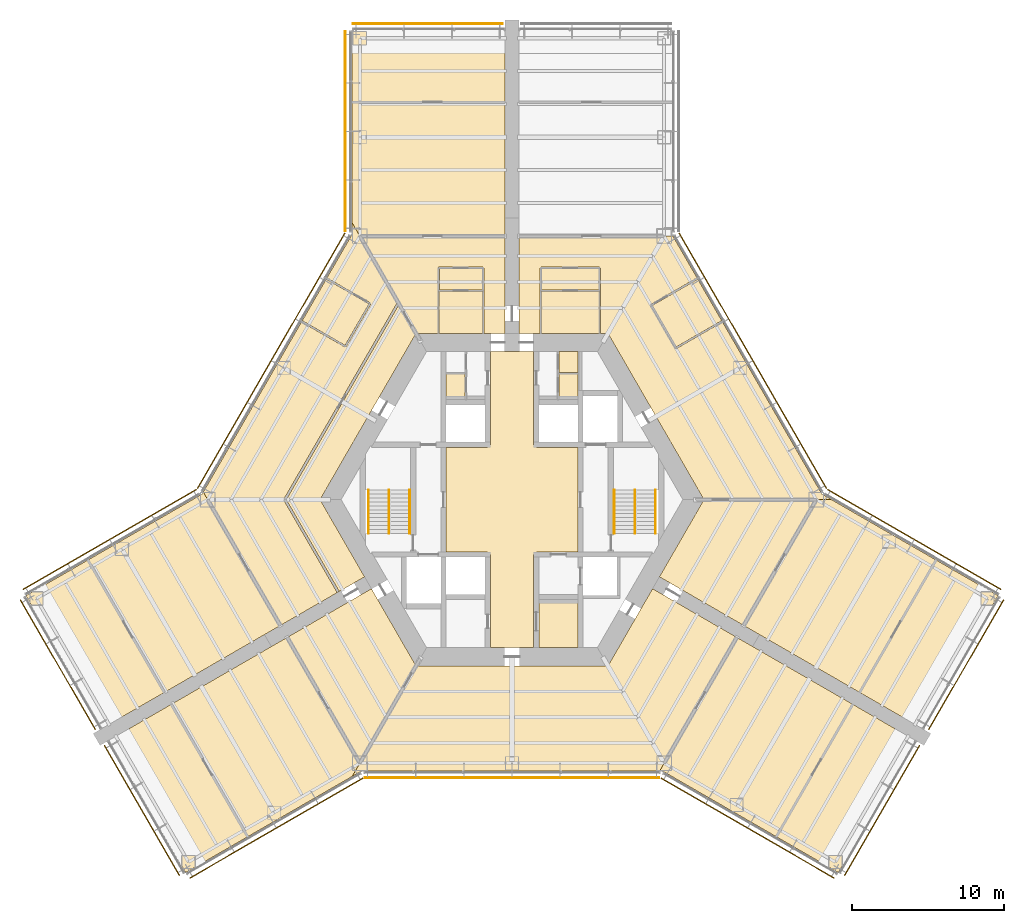
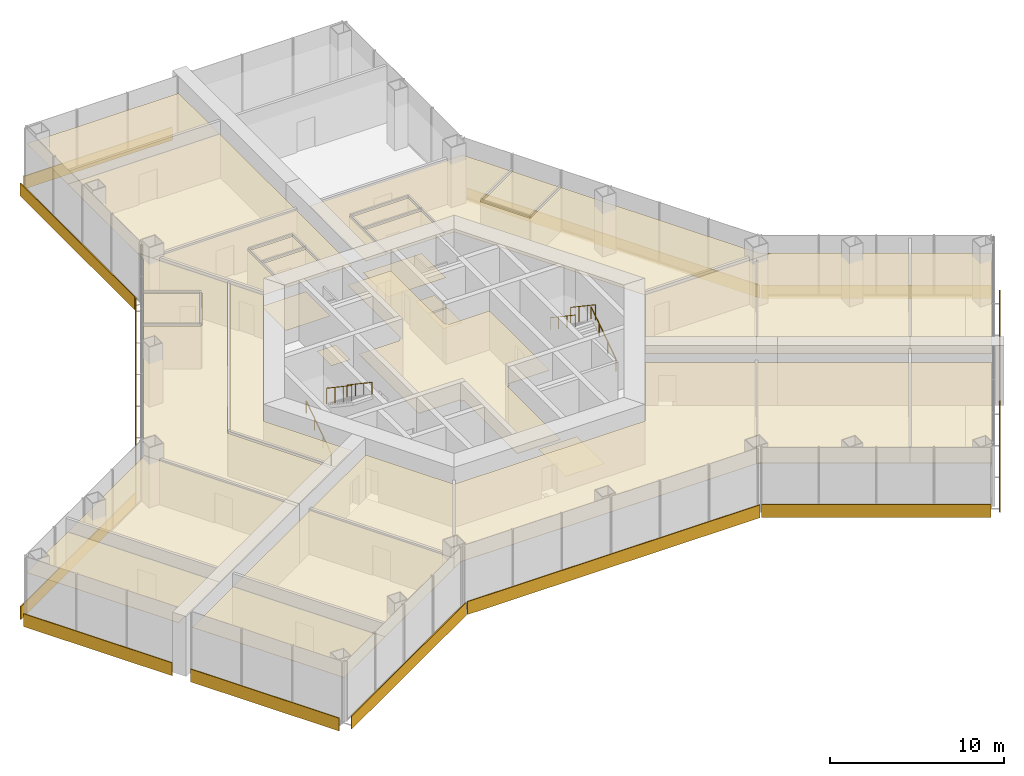
# One storey, part 15 of 16: 30 coverings, 13 shading devices, 6 railings.
"""IFC4 building model written with IfcOpenShell, lengths in metres."""

import ifcopenshell
import ifcopenshell.guid

model = None  # the IFC model being written
_history = None  # IfcOwnerHistory: only IFC2X3 demands one
_inside = {}  # id of a spatial element -> (the spatial element, [elements in it])
_under = {}  # id of a project, library or spatial element -> (it, [spatial elements below it])
_declared = {}  # id of a project -> (the project, [libraries it declares])
_typed = {}  # id of a type object -> (the type object, [elements of that type])
_made_of = {}  # id of a material, layer set ... -> (it, [elements and type objects made of it])


def new_model(schema):
    """Start an empty IFC model of exactly this schema.

    Asked for "IFC4X3", IfcOpenShell would pick the latest addendum, in which some entities
    have other attributes; the version numbers below select the first issue.
    IFC2X3 requires an IfcOwnerHistory on every rooted entity: one is made here for all.
    """
    global model, _history
    if schema == "IFC4X3":
        model = ifcopenshell.file(schema_version=(4, 3, 0, 0))
    else:
        model = ifcopenshell.file(schema=schema)
    _inside.clear()
    _under.clear()
    _declared.clear()
    _typed.clear()
    _made_of.clear()
    _history = None
    if model.schema == "IFC2X3":
        org = make("IfcOrganization", Name="unknown")
        user = make(
            "IfcPersonAndOrganization",
            ThePerson=make("IfcPerson", FamilyName="unknown"),
            TheOrganization=org,
        )
        app = make(
            "IfcApplication",
            ApplicationDeveloper=org,
            Version="unknown",
            ApplicationFullName="unknown",
            ApplicationIdentifier="unknown",
        )
        _history = make(
            "IfcOwnerHistory",
            OwningUser=user,
            OwningApplication=app,
            ChangeAction="ADDED",
            CreationDate=0,
        )
    return model


def make(cls, **values):
    """One entity of the class cls with the attributes given. An attribute that is None is left unset."""
    return model.create_entity(
        cls, **{name: value for name, value in values.items() if value is not None}
    )


def rooted(cls, **values):
    """An entity with a GlobalId (a new one), such as an element, a storey or a relation."""
    return make(cls, GlobalId=ifcopenshell.guid.new(), OwnerHistory=_history, **values)


def si_unit(unit_type, name, prefix=None):
    """IfcSIUnit, for example si_unit("LENGTHUNIT", "METRE", prefix="MILLI")."""
    return make("IfcSIUnit", UnitType=unit_type, Prefix=prefix, Name=name)


def assignment(units):
    """IfcUnitAssignment: the units of a project."""
    return None if units is None else make("IfcUnitAssignment", Units=units)


def point(xyz):
    """IfcCartesianPoint."""
    return None if xyz is None else make("IfcCartesianPoint", Coordinates=xyz)


def direction(xyz):
    """IfcDirection."""
    return None if xyz is None else make("IfcDirection", DirectionRatios=xyz)


def frame(location, z_axis=None, x_axis=None):
    """IfcAxis2Placement3D, a coordinate frame: its origin and axes. An axis left out is left unset."""
    return make(
        "IfcAxis2Placement3D",
        Location=point(location),
        Axis=direction(z_axis),
        RefDirection=direction(x_axis),
    )


def frame_2d(location, x_axis=None):
    """IfcAxis2Placement2D, a coordinate frame in the plane: its origin and x axis."""
    return make(
        "IfcAxis2Placement2D", Location=point(location), RefDirection=direction(x_axis)
    )


def origin():
    """The frame at (0, 0, 0) with its axes left unset."""
    return frame((0.0, 0.0, 0.0))


def origin_2d():
    """The frame at (0, 0) in the plane with its x axis left unset."""
    return frame_2d((0.0, 0.0))


def place(relative_to, where):
    """IfcLocalPlacement: puts the frame where relative to a parent placement (None: the world)."""
    return make(
        "IfcLocalPlacement", PlacementRelTo=relative_to, RelativePlacement=where
    )


def context(
    kind, dimensions, precision=None, world=None, true_north=None, identifier=None
):
    """IfcGeometricRepresentationContext, for example the 3D "Model" context."""
    return make(
        "IfcGeometricRepresentationContext",
        ContextIdentifier=identifier,
        ContextType=kind,
        CoordinateSpaceDimension=dimensions,
        Precision=precision,
        WorldCoordinateSystem=world,
        TrueNorth=true_north,
    )


def subcontext(parent, identifier, kind, view, scale=None):
    """IfcGeometricRepresentationSubContext, for example "Body" below "Model"."""
    return make(
        "IfcGeometricRepresentationSubContext",
        ContextIdentifier=identifier,
        ContextType=kind,
        ParentContext=parent,
        TargetScale=scale,
        TargetView=view,
    )


def project(units=None, contexts=None):
    """IfcProject with its units and contexts."""
    return rooted(
        "IfcProject",
        Name="project",
        RepresentationContexts=contexts,
        UnitsInContext=assignment(units),
    )


def spatial(cls, under=None, at=None, **own):
    """A site, building, storey or space (cls), placed at a placement, below another one or the project."""
    s = rooted(cls, ObjectPlacement=at, **own)
    if under is not None:
        _under.setdefault(under.id(), (under, []))[1].append(s)
    return s


def polyline(points):
    """IfcPolyline through the points."""
    return make("IfcPolyline", Points=[point(p) for p in points])


def profile(cls, at=None, kind="AREA", **sizes):
    """A parametric profile (cls). Its sizes go by their IFC names, for example OverallWidth=200.0."""
    return make(cls, ProfileType=kind, Position=at, **sizes)


def rectangle(**sizes):
    """IfcRectangleProfileDef."""
    return profile("IfcRectangleProfileDef", **sizes)


def circle(**sizes):
    """IfcCircleProfileDef."""
    return profile("IfcCircleProfileDef", **sizes)


def outline(outer, holes=None, kind="AREA"):
    """IfcArbitraryClosedProfileDef: a profile drawn as a closed curve; with holes, ...WithVoids."""
    if holes is None:
        return make("IfcArbitraryClosedProfileDef", ProfileType=kind, OuterCurve=outer)
    return make(
        "IfcArbitraryProfileDefWithVoids",
        ProfileType=kind,
        OuterCurve=outer,
        InnerCurves=holes,
    )


def extrude(swept, where, along, depth):
    """IfcExtrudedAreaSolid: the profile swept, set in the frame where, extruded along a direction by depth."""
    return make(
        "IfcExtrudedAreaSolid",
        SweptArea=swept,
        Position=where,
        ExtrudedDirection=direction(along),
        Depth=depth,
    )


def shape(context_of_items, identifier, shape_type, items):
    """IfcShapeRepresentation: the items that make up one representation, for example the "Body"."""
    return make(
        "IfcShapeRepresentation",
        ContextOfItems=context_of_items,
        RepresentationIdentifier=identifier,
        RepresentationType=shape_type,
        Items=items,
    )


def material(Name=None, Category=None):
    """IfcMaterial."""
    return make("IfcMaterial", Name=Name, Category=Category)


def layer(
    of_material, thickness, ventilated=None, Name=None, Category=None, Priority=None
):
    """IfcMaterialLayer: one layer of a wall or slab, of a material (None: an air gap)."""
    return make(
        "IfcMaterialLayer",
        Material=of_material,
        LayerThickness=thickness,
        IsVentilated=ventilated,
        Name=Name,
        Category=Category,
        Priority=Priority,
    )


def layer_set(layers, Name=None):
    """IfcMaterialLayerSet."""
    return make("IfcMaterialLayerSet", MaterialLayers=layers, LayerSetName=Name)


def made_of(thing, what):
    """Note that an element or type object is made of a material, layer set ...; save() writes the relation."""
    if what is not None:
        _made_of.setdefault(what.id(), (what, []))[1].append(thing)
    return thing


def type_object(cls, material=None, **own):
    """A type object (cls), such as IfcWallType, which elements share."""
    return made_of(rooted(cls, **own), material)


def element(
    cls,
    number,
    at=None,
    inside=None,
    cuts=None,
    type_object=None,
    material=None,
    context=None,
    identifier="Body",
    shape_type=None,
    held_by="IfcProductDefinitionShape",
    body=None,
    shapes=None,
    **own,
):
    """One element of the class cls, such as IfcWall. Its Tag is "e" and its number.

    at: its placement. inside: the storey or other place that contains it. cuts: it is an
    opening in that element (IfcRelVoidsElement). A single representation is given by context,
    identifier, shape_type and body (its items); several are given by shapes. held_by: the class
    of the entity that holds the representations. save() writes the other relations.
    """
    e = rooted(cls, Tag="e%d" % number, ObjectPlacement=at, **own)
    if body is not None:
        shapes = [shape(context, identifier, shape_type, body)]
    if shapes is not None:
        e.Representation = make(held_by, Representations=shapes)
    if inside is not None:
        _inside.setdefault(inside.id(), (inside, []))[1].append(e)
    if cuts is not None:
        rooted(
            "IfcRelVoidsElement", RelatingBuildingElement=cuts, RelatedOpeningElement=e
        )
    if type_object is not None:
        _typed.setdefault(type_object.id(), (type_object, []))[1].append(e)
    return made_of(e, material)


def aggregate(whole, parts):
    """IfcRelAggregates: a whole, such as a stair, and the parts it consists of."""
    return rooted("IfcRelAggregates", RelatingObject=whole, RelatedObjects=parts)


def save(model, path):
    """Write the relations noted so far, then the file.

    IfcRelAggregates (storeys below a building ...), IfcRelContainedInSpatialStructure (elements
    in a storey), IfcRelDefinesByType, IfcRelAssociatesMaterial and IfcRelDeclares: one each for
    every whole, place, type object, material and project.
    """
    for whole, parts in _under.values():
        aggregate(whole, parts)
    for where, things in _inside.values():
        rooted(
            "IfcRelContainedInSpatialStructure",
            RelatedElements=things,
            RelatingStructure=where,
        )
    for kind, things in _typed.values():
        rooted("IfcRelDefinesByType", RelatedObjects=things, RelatingType=kind)
    for what, things in _made_of.values():
        rooted("IfcRelAssociatesMaterial", RelatedObjects=things, RelatingMaterial=what)
    for by, libraries in _declared.values():
        rooted("IfcRelDeclares", RelatingContext=by, RelatedDefinitions=libraries)
    model.write(path)


model = new_model("IFC4")

# Units and contexts
model_context = context("Model", 3, precision=1e-05, world=origin(), true_north=direction((0.0, 1.0)))
body_context = subcontext(model_context, "Body", "Model", "MODEL_VIEW")
ifc_project = project(units=[si_unit("LENGTHUNIT", "METRE"), si_unit("AREAUNIT", "SQUARE_METRE"), si_unit("VOLUMEUNIT", "CUBIC_METRE"), si_unit("PLANEANGLEUNIT", "RADIAN"), si_unit("MASSUNIT", "GRAM", prefix="KILO")], contexts=[model_context])

# Site, building, storey
site_placement = place(None, origin())
site = spatial("IfcSite", under=ifc_project, at=site_placement, CompositionType="ELEMENT")
building_placement = place(site_placement, origin())
building = spatial("IfcBuilding", under=site, at=building_placement, Name="Kasaneha Research Tower", CompositionType="ELEMENT")
storey_placement = place(building_placement, frame((0.0, 0.0, 18.39990234375)))
storey = spatial("IfcBuildingStorey", under=building, at=storey_placement, Name="L05", CompositionType="ELEMENT", Elevation=18.39990234375)

# Coverings
ifc_material_1 = material(Name="Washable coated ceiling board", Category="gypsum")
ifc_layer_1 = layer(ifc_material_1, 0.02490234375)
ifc_layer_set_1 = layer_set([ifc_layer_1], Name="Laboratory ceiling 25")
covering_type_1 = type_object("IfcCoveringType", Name="Laboratory ceiling 25", PredefinedType="CEILING", material=ifc_layer_set_1)
covering_1_placement = place(storey_placement, frame((0.0, 0.0, 3.0)))
element("IfcCovering", 1, at=covering_1_placement, inside=storey, type_object=covering_type_1, Name="Ceiling L05-27", PredefinedType="CEILING", context=body_context, shape_type="SweptSolid", body=[
    extrude(outline(polyline([(1.949951171875, 10.925048828125), (1.949951171875, 13.675048828125), (5.70703125, 13.675048828125), (5.70703125, 10.925048828125), (1.949951171875, 10.925048828125)])), origin(), (0.0, 0.0, 1.0), 0.025146484375),
])
covering_2_placement = place(storey_placement, frame((0.0, 0.0, 3.0)))
element("IfcCovering", 2, at=covering_2_placement, inside=storey, type_object=covering_type_1, Name="Ceiling L05-28", PredefinedType="CEILING", context=body_context, shape_type="SweptSolid", body=[
    extrude(outline(polyline([(5.70703125, 13.77490234375), (1.949951171875, 13.77490234375), (1.949951171875, 15.175048828125), (5.70703125, 15.175048828125), (5.70703125, 13.77490234375)])), origin(), (0.0, 0.0, 1.0), 0.025146484375),
])
covering_3_placement = place(storey_placement, frame((0.0, 0.0, 3.0)))
element("IfcCovering", 3, at=covering_3_placement, inside=storey, type_object=covering_type_1, Name="Ceiling L05-29", PredefinedType="CEILING", context=body_context, shape_type="SweptSolid", body=[
    extrude(outline(polyline([(13.809814453125, 11.7216796875), (13.79248046875, 11.711669921875), (13.767578125, 11.7548828125), (10.797119140625, 10.0400390625), (9.223876953125, 12.764892578125), (12.202880859375, 14.48486328125), (12.177978515625, 14.5283203125), (12.1865234375, 14.533203125), (13.809814453125, 11.7216796875)])), origin(), (0.0, 0.0, 1.0), 0.025146484375),
])
covering_4_placement = place(storey_placement, frame((0.0, 0.0, 3.0)))
element("IfcCovering", 4, at=covering_4_placement, inside=storey, type_object=covering_type_1, Name="Ceiling L05-30", PredefinedType="CEILING", context=body_context, shape_type="SweptSolid", body=[
    extrude(outline(polyline([(6.3076171875, 10.925048828125), (5.80712890625, 10.925048828125), (5.80712890625, 15.22509765625), (5.757568359375, 15.22509765625), (5.757568359375, 15.225341796875), (5.757080078125, 15.225341796875), (5.757080078125, 15.27490234375), (1.89990234375, 15.27490234375), (1.89990234375, 15.225341796875), (1.899658203125, 15.225341796875), (1.899658203125, 15.22509765625), (1.85009765625, 15.22509765625), (1.85009765625, 10.925048828125), (0.449951171875, 10.925048828125), (0.449951171875, 11.72509765625), (0.449951171875, 12.72509765625), (0.449951171875, 17.320556640625), (10.577392578125, 17.320556640625), (12.186279296875, 14.53369140625), (12.177734375, 14.528564453125), (12.153076171875, 14.571533203125), (9.130615234375, 12.826416015625), (9.1552734375, 12.783447265625), (9.155029296875, 12.783203125), (9.155029296875, 12.782958984375), (9.1123046875, 12.75830078125), (10.7353515625, 9.94677734375), (10.77880859375, 9.9716796875), (10.8037109375, 9.928466796875), (13.8173828125, 11.66845703125), (13.792724609375, 11.711181640625), (13.81005859375, 11.72119140625), (20.365966796875, 0.365966796875), (21.0, 0.0), (12.614990234375, 0.0), (6.3076171875, 10.925048828125)])), origin(), (0.0, 0.0, 1.0), 0.025146484375),
])
covering_5_placement = place(storey_placement, frame((0.0, 0.0, 3.0)))
element("IfcCovering", 5, at=covering_5_placement, inside=storey, type_object=covering_type_1, Name="Ceiling L05-33", PredefinedType="CEILING", context=body_context, shape_type="SweptSolid", body=[
    extrude(outline(polyline([(-4.778564453125, 10.925048828125), (-4.778564453125, 13.675048828125), (-1.949951171875, 13.675048828125), (-1.949951171875, 10.925048828125), (-4.778564453125, 10.925048828125)])), origin(), (0.0, 0.0, 1.0), 0.025146484375),
])
covering_6_placement = place(storey_placement, frame((0.0, 0.0, 3.0)))
element("IfcCovering", 6, at=covering_6_placement, inside=storey, type_object=covering_type_1, Name="Ceiling L05-34", PredefinedType="CEILING", context=body_context, shape_type="SweptSolid", body=[
    extrude(outline(polyline([(-1.949951171875, 15.175048828125), (-1.949951171875, 13.77490234375), (-4.778564453125, 13.77490234375), (-4.778564453125, 15.175048828125), (-1.949951171875, 15.175048828125)])), origin(), (0.0, 0.0, 1.0), 0.025146484375),
])
covering_7_placement = place(storey_placement, frame((0.0, 0.0, 3.0)))
element("IfcCovering", 7, at=covering_7_placement, inside=storey, type_object=covering_type_1, Name="Ceiling L05-35", PredefinedType="CEILING", context=body_context, shape_type="SweptSolid", body=[
    extrude(outline(polyline([(-1.85009765625, 10.925048828125), (-1.85009765625, 15.22509765625), (-1.8994140625, 15.22509765625), (-1.8994140625, 15.22509765625), (-1.8994140625, 15.22509765625), (-1.8994140625, 15.22509765625), (-1.899658203125, 15.22509765625), (-1.899658203125, 15.225341796875), (-1.899658203125, 15.225341796875), (-1.899658203125, 15.225341796875), (-1.899658203125, 15.225341796875), (-1.899658203125, 15.225341796875), (-1.899658203125, 15.225341796875), (-1.899658203125, 15.225341796875), (-1.89990234375, 15.225341796875), (-1.89990234375, 15.2255859375), (-1.89990234375, 15.2255859375), (-1.89990234375, 15.2255859375), (-1.89990234375, 15.2255859375), (-1.89990234375, 15.27490234375), (-4.82861328125, 15.27490234375), (-4.82861328125, 15.2255859375), (-4.82861328125, 15.2255859375), (-4.82861328125, 15.2255859375), (-4.82861328125, 15.2255859375), (-4.828857421875, 15.225341796875), (-4.828857421875, 15.225341796875), (-4.828857421875, 15.225341796875), (-4.828857421875, 15.225341796875), (-4.828857421875, 15.225341796875), (-4.828857421875, 15.225341796875), (-4.8291015625, 15.225341796875), (-4.8291015625, 15.225341796875), (-4.8291015625, 15.22509765625), (-4.8291015625, 15.22509765625), (-4.8291015625, 15.22509765625), (-4.8291015625, 15.22509765625), (-4.8291015625, 15.22509765625), (-4.878662109375, 15.22509765625), (-4.878662109375, 10.925048828125), (-6.3076171875, 10.925048828125), (-7.4189453125, 12.85009765625), (-7.408935546875, 12.867431640625), (-7.439208984375, 12.885009765625), (-10.0, 17.320556640625), (-0.449951171875, 17.320556640625), (-0.449951171875, 12.72509765625), (-0.449951171875, 11.72509765625), (-0.449951171875, 10.925048828125), (-1.85009765625, 10.925048828125)])), origin(), (0.0, 0.0, 1.0), 0.025146484375),
])
covering_8_placement = place(storey_placement, frame((0.0, 0.0, 3.0)))
element("IfcCovering", 8, at=covering_8_placement, inside=storey, type_object=covering_type_1, Name="Ceiling L05-36", PredefinedType="CEILING", context=body_context, shape_type="SweptSolid", body=[
    extrude(outline(polyline([(-10.5, 26.12060546875), (-0.449951171875, 26.12060546875), (-0.449951171875, 17.320556640625), (-10.0, 17.320556640625), (-10.5, 18.1865234375), (-10.5, 26.12060546875)])), origin(), (0.0, 0.0, 1.0), 0.025146484375),
])
covering_9_placement = place(storey_placement, frame((0.0, 0.0, 3.0)))
element("IfcCovering", 9, at=covering_9_placement, inside=storey, type_object=covering_type_1, Name="Ceiling L05-37", PredefinedType="CEILING", context=body_context, shape_type="SweptSolid", body=[
    extrude(outline(polyline([(-0.449951171875, 30.820556640625), (-0.449951171875, 26.12060546875), (-10.5, 26.12060546875), (-10.5, 30.820556640625), (-0.449951171875, 30.820556640625)])), origin(), (0.0, 0.0, 1.0), 0.025146484375),
])
covering_10_placement = place(storey_placement, frame((0.0, 0.0, 3.0)))
element("IfcCovering", 10, at=covering_10_placement, inside=storey, type_object=covering_type_1, Name="Ceiling L05-38", PredefinedType="CEILING", context=body_context, shape_type="SweptSolid", body=[
    extrude(outline(polyline([(-12.614990234375, 0.0), (-9.686279296875, -5.07275390625), (-11.41845703125, -6.07275390625), (-11.428466796875, -6.055419921875), (-11.363525390625, -6.01806640625), (-14.837890625, 0.0), (-7.4189453125, 12.85009765625), (-6.3076171875, 10.925048828125), (-12.614990234375, 0.0)])), origin(), (0.0, 0.0, 1.0), 0.025146484375),
])
covering_11_placement = place(storey_placement, frame((0.0, 0.0, 3.0)))
element("IfcCovering", 11, at=covering_11_placement, inside=storey, type_object=covering_type_1, Name="Ceiling L05-39", PredefinedType="CEILING", context=body_context, shape_type="SweptSolid", body=[
    extrude(outline(polyline([(-12.1865234375, 14.533203125), (-12.177978515625, 14.5283203125), (-12.202880859375, 14.48486328125), (-9.39697265625, 12.864990234375), (-10.97021484375, 10.139892578125), (-13.767578125, 11.7548828125), (-13.79248046875, 11.711669921875), (-13.809814453125, 11.7216796875), (-12.1865234375, 14.533203125)])), origin(), (0.0, 0.0, 1.0), 0.025146484375),
])
covering_12_placement = place(storey_placement, frame((0.0, 0.0, 3.0)))
element("IfcCovering", 12, at=covering_12_placement, inside=storey, type_object=covering_type_1, Name="Ceiling L05-40", PredefinedType="CEILING", context=body_context, shape_type="SweptSolid", body=[
    extrude(outline(polyline([(-14.9248046875, -0.000244140625), (-14.989501953125, -0.03759765625), (-11.493408203125, -6.093017578125), (-11.4287109375, -6.0556640625), (-11.418701171875, -6.072998046875), (-15.22509765625, -8.2705078125), (-20.28857421875, 0.5), (-13.81005859375, 11.72119140625), (-13.792724609375, 11.711181640625), (-13.8173828125, 11.66845703125), (-10.976806640625, 10.0283203125), (-10.9521484375, 10.0712890625), (-10.951904296875, 10.0712890625), (-10.95166015625, 10.071533203125), (-10.90869140625, 10.046630859375), (-9.285400390625, 12.858154296875), (-9.32861328125, 12.88330078125), (-9.3037109375, 12.926513671875), (-12.153076171875, 14.571533203125), (-12.177734375, 14.528564453125), (-12.186279296875, 14.53369140625), (-10.5, 17.45458984375), (-10.5, 18.1865234375), (-7.46240234375, 12.925537109375), (-7.47412109375, 12.9052734375), (-7.538818359375, 12.9423828125), (-14.989501953125, 0.03759765625), (-14.9248046875, 0.000244140625), (-14.925048828125, 0.0), (-14.9248046875, -0.000244140625)])), origin(), (0.0, 0.0, 1.0), 0.025146484375),
])
covering_13_placement = place(storey_placement, frame((0.0, 0.0, 3.0)))
element("IfcCovering", 13, at=covering_13_placement, inside=storey, type_object=covering_type_1, Name="Ceiling L05-41", PredefinedType="CEILING", context=body_context, shape_type="SweptSolid", body=[
    extrude(outline(polyline([(-22.845947265625, -12.670654296875), (-27.87109375, -3.967041015625), (-20.365966796875, 0.365966796875), (-20.28857421875, 0.5), (-15.22509765625, -8.2705078125), (-19.25244140625, -10.595947265625), (-22.845947265625, -12.670654296875)])), origin(), (0.0, 0.0, 1.0), 0.025146484375),
])
covering_14_placement = place(storey_placement, frame((0.0, 0.0, 3.0)))
element("IfcCovering", 14, at=covering_14_placement, inside=storey, type_object=covering_type_1, Name="Ceiling L05-42", PredefinedType="CEILING", context=body_context, shape_type="SweptSolid", body=[
    extrude(outline(polyline([(-26.916259765625, -15.0205078125), (-31.94140625, -6.31689453125), (-27.87109375, -3.967041015625), (-22.845947265625, -12.670654296875), (-23.134521484375, -12.837158203125), (-26.916259765625, -15.0205078125)])), origin(), (0.0, 0.0, 1.0), 0.025146484375),
])
covering_15_placement = place(storey_placement, frame((0.0, 0.0, 3.0)))
element("IfcCovering", 15, at=covering_15_placement, inside=storey, type_object=covering_type_1, Name="Ceiling L05-43", PredefinedType="CEILING", context=body_context, shape_type="SweptSolid", body=[
    extrude(outline(polyline([(-9.236328125, -5.852294921875), (-6.3076171875, -10.925048828125), (-10.0, -17.320556640625), (-14.77490234375, -9.050048828125), (-9.92919921875, -6.252197265625), (-9.92919921875, -6.252197265625), (-9.236328125, -5.852294921875)])), origin(), (0.0, 0.0, 1.0), 0.025146484375),
])
covering_16_placement = place(storey_placement, frame((0.0, 0.0, 3.0)))
element("IfcCovering", 16, at=covering_16_placement, inside=storey, type_object=covering_type_1, Name="Ceiling L05-44", PredefinedType="CEILING", context=body_context, shape_type="SweptSolid", body=[
    extrude(outline(polyline([(-21.44140625, -24.50341796875), (-26.46630859375, -15.800048828125), (-22.39599609375, -13.449951171875), (-17.37109375, -22.153564453125), (-21.44140625, -24.50341796875)])), origin(), (0.0, 0.0, 1.0), 0.025146484375),
])
covering_17_placement = place(storey_placement, frame((0.0, 0.0, 3.0)))
element("IfcCovering", 17, at=covering_17_placement, inside=storey, type_object=covering_type_1, Name="Ceiling L05-45", PredefinedType="CEILING", context=body_context, shape_type="SweptSolid", body=[
    extrude(outline(polyline([(-10.5, -18.1865234375), (-17.37109375, -22.153564453125), (-22.39599609375, -13.449951171875), (-14.77490234375, -9.050048828125), (-10.0, -17.320556640625), (-10.5, -18.1865234375)])), origin(), (0.0, 0.0, 1.0), 0.025146484375),
])
covering_18_placement = place(storey_placement, frame((0.0, 0.0, 3.0)))
element("IfcCovering", 18, at=covering_18_placement, inside=storey, type_object=covering_type_1, Name="Ceiling L05-46", PredefinedType="CEILING", context=body_context, shape_type="SweptSolid", body=[
    extrude(outline(polyline([(11.2451171875, -5.972900390625), (10.379150390625, -5.472900390625), (9.686279296875, -5.07275390625), (12.614990234375, 0.0), (20.0, 0.0), (15.22509765625, -8.2705078125), (14.55810546875, -7.885498046875), (11.2451171875, -5.972900390625)])), origin(), (0.0, 0.0, 1.0), 0.025146484375),
])
covering_19_placement = place(storey_placement, frame((0.0, 0.0, 3.0)))
element("IfcCovering", 19, at=covering_19_placement, inside=storey, type_object=covering_type_1, Name="Ceiling L05-47", PredefinedType="CEILING", context=body_context, shape_type="SweptSolid", body=[
    extrude(outline(polyline([(22.845947265625, -12.670654296875), (27.87109375, -3.967041015625), (31.94140625, -6.31689453125), (26.916259765625, -15.0205078125), (23.134521484375, -12.837158203125), (22.845947265625, -12.670654296875)])), origin(), (0.0, 0.0, 1.0), 0.025146484375),
])
covering_20_placement = place(storey_placement, frame((0.0, 0.0, 3.0)))
element("IfcCovering", 20, at=covering_20_placement, inside=storey, type_object=covering_type_1, Name="Ceiling L05-48", PredefinedType="CEILING", context=body_context, shape_type="SweptSolid", body=[
    extrude(outline(polyline([(15.22509765625, -8.2705078125), (20.0, 0.0), (21.0, 0.0), (27.87109375, -3.967041015625), (22.845947265625, -12.670654296875), (19.25244140625, -10.595947265625), (15.22509765625, -8.2705078125)])), origin(), (0.0, 0.0, 1.0), 0.025146484375),
])
covering_21_placement = place(storey_placement, frame((0.0, 0.0, 3.0)))
element("IfcCovering", 21, at=covering_21_placement, inside=storey, type_object=covering_type_1, Name="Ceiling L05-49", PredefinedType="CEILING", context=body_context, shape_type="SweptSolid", body=[
    extrude(outline(polyline([(-10.5, -18.1865234375), (-6.3076171875, -10.925048828125), (6.3076171875, -10.925048828125), (9.236328125, -5.852294921875), (9.92919921875, -6.252197265625), (9.92919921875, -6.252197265625), (10.909423828125, -6.818359375), (14.77490234375, -9.050048828125), (9.71142578125, -17.820556640625), (-9.865966796875, -17.820556640625), (-10.5, -18.1865234375)])), origin(), (0.0, 0.0, 1.0), 0.025146484375),
])
covering_22_placement = place(storey_placement, frame((0.0, 0.0, 3.0)))
element("IfcCovering", 22, at=covering_22_placement, inside=storey, type_object=covering_type_1, Name="Ceiling L05-50", PredefinedType="CEILING", context=body_context, shape_type="SweptSolid", body=[
    extrude(outline(polyline([(14.77490234375, -9.050048828125), (22.39599609375, -13.449951171875), (17.37109375, -22.153564453125), (9.865966796875, -17.820556640625), (9.71142578125, -17.820556640625), (14.77490234375, -9.050048828125)])), origin(), (0.0, 0.0, 1.0), 0.025146484375),
])
covering_23_placement = place(storey_placement, frame((0.0, 0.0, 3.0)))
element("IfcCovering", 23, at=covering_23_placement, inside=storey, type_object=covering_type_1, Name="Ceiling L05-51", PredefinedType="CEILING", context=body_context, shape_type="SweptSolid", body=[
    extrude(outline(polyline([(21.44140625, -24.50341796875), (17.37109375, -22.153564453125), (22.39599609375, -13.449951171875), (26.46630859375, -15.800048828125), (21.44140625, -24.50341796875)])), origin(), (0.0, 0.0, 1.0), 0.025146484375),
])
ifc_material_2 = material(Name="Aluminium panel ceiling", Category="aluminium")
ifc_layer_2 = layer(ifc_material_2, 0.0400390625)
ifc_layer_set_2 = layer_set([ifc_layer_2], Name="Lift lobby ceiling 40")
covering_type_2 = type_object("IfcCoveringType", Name="Lift lobby ceiling 40", PredefinedType="CEILING", material=ifc_layer_set_2)
covering_24_placement = place(storey_placement, frame((0.0, 0.0, 2.7001953125)))
element("IfcCovering", 24, at=covering_24_placement, inside=storey, type_object=covering_type_2, Name="Ceiling L05-01", PredefinedType="CEILING", context=body_context, shape_type="SweptSolid", body=[
    extrude(outline(polyline([(1.425048828125, 9.72509765625), (1.425048828125, 3.60009765625), (1.60009765625, 3.60009765625), (1.60009765625, 3.425048828125), (4.324951171875, 3.425048828125), (4.324951171875, -3.425048828125), (1.60009765625, -3.425048828125), (1.60009765625, -3.60009765625), (1.425048828125, -3.60009765625), (1.425048828125, -9.72509765625), (-1.425048828125, -9.72509765625), (-1.425048828125, -3.60009765625), (-1.60009765625, -3.60009765625), (-1.60009765625, -3.425048828125), (-4.324951171875, -3.425048828125), (-4.324951171875, 3.425048828125), (-1.60009765625, 3.425048828125), (-1.60009765625, 3.60009765625), (-1.425048828125, 3.60009765625), (-1.425048828125, 9.72509765625), (1.425048828125, 9.72509765625)])), origin(), (0.0, 0.0, 1.0), 0.039794921875),
])

# Railings
ifc_material_3 = material(Name="Steel", Category="steel")
railing_type_1 = type_object("IfcRailingType", Name="Stair balustrade 1100", PredefinedType="GUARDRAIL", material=ifc_material_3)
for number, where, name in (
    (25, (8.074951171875, 0.635009765625, 2.275146484375), "Stair 1 balustrade L05"),
    (26, (-8.074951171875, 0.635009765625, 2.275146484375), "Stair 2 balustrade L05"),
):
    element("IfcRailing", number, at=place(storey_placement, frame(where)), inside=storey, type_object=railing_type_1, Name=name, PredefinedType="GUARDRAIL", context=body_context, shape_type="SweptSolid", body=[
        extrude(circle(Radius=0.02392578125, at=origin_2d()), frame((0.0, 0.0, 1.076171875), z_axis=(0.0, -0.829590901723, 0.558371682465), x_axis=(1.0, 0.0, 0.0)), (0.0, 0.0, 1.0), 3.447509765625),
        extrude(circle(Radius=0.02099609375, at=origin_2d()), origin(), (0.0, 0.0, 1.0), 1.052001953125),
        extrude(circle(Radius=0.02099609375, at=origin_2d()), frame((0.0, -0.953369140625, 0.6416015625)), (0.0, 0.0, 1.0), 1.052001953125),
        extrude(circle(Radius=0.02099609375, at=origin_2d()), frame((0.0, -1.90673828125, 1.283447265625)), (0.0, 0.0, 1.0), 1.052001953125),
        extrude(circle(Radius=0.02099609375, at=origin_2d()), frame((0.0, -2.860107421875, 1.925048828125)), (0.0, 0.0, 1.0), 1.052001953125),
    ])
ifc_material_4 = material(Name="Steel", Category="steel")
railing_type_2 = type_object("IfcRailingType", Name="Stair handrail 850", PredefinedType="HANDRAIL", material=ifc_material_4)
railing_1_placement = place(storey_placement, frame((9.425048828125, -2.22509765625, 0.175048828125)))
element("IfcRailing", 27, at=railing_1_placement, inside=storey, type_object=railing_type_2, Name="Stair 1 handrail L05", PredefinedType="HANDRAIL", context=body_context, shape_type="SweptSolid", body=[
    extrude(circle(Radius=0.02392578125, at=origin_2d()), frame((0.0, 0.0, 0.826171875), z_axis=(0.0, 0.829590901723, 0.558371682465), x_axis=(-1.0, 0.0, 0.0)), (0.0, 0.0, 1.0), 3.447509765625),
    extrude(circle(Radius=0.02099609375, at=origin_2d()), origin(), (0.0, 0.0, 1.0), 0.802001953125),
    extrude(circle(Radius=0.02099609375, at=origin_2d()), frame((0.0, 0.953369140625, 0.6416015625)), (0.0, 0.0, 1.0), 0.802001953125),
    extrude(circle(Radius=0.02099609375, at=origin_2d()), frame((0.0, 1.90673828125, 1.283447265625)), (0.0, 0.0, 1.0), 0.802001953125),
    extrude(circle(Radius=0.02099609375, at=origin_2d()), frame((0.0, 2.860107421875, 1.925048828125)), (0.0, 0.0, 1.0), 0.802001953125),
])
railing_2_placement = place(storey_placement, frame((6.72509765625, 0.635009765625, 2.275146484375)))
element("IfcRailing", 28, at=railing_2_placement, inside=storey, type_object=railing_type_2, Name="Stair 1 handrail L05", PredefinedType="HANDRAIL", context=body_context, shape_type="SweptSolid", body=[
    extrude(circle(Radius=0.02392578125, at=origin_2d()), frame((0.0, 0.0, 0.826171875), z_axis=(0.0, -0.829590901723, 0.558371682465), x_axis=(1.0, 0.0, 0.0)), (0.0, 0.0, 1.0), 3.447509765625),
    extrude(circle(Radius=0.02099609375, at=origin_2d()), origin(), (0.0, 0.0, 1.0), 0.802001953125),
    extrude(circle(Radius=0.02099609375, at=origin_2d()), frame((0.0, -0.953369140625, 0.6416015625)), (0.0, 0.0, 1.0), 0.802001953125),
    extrude(circle(Radius=0.02099609375, at=origin_2d()), frame((0.0, -1.90673828125, 1.283447265625)), (0.0, 0.0, 1.0), 0.802001953125),
    extrude(circle(Radius=0.02099609375, at=origin_2d()), frame((0.0, -2.860107421875, 1.925048828125)), (0.0, 0.0, 1.0), 0.802001953125),
])
railing_3_placement = place(storey_placement, frame((-9.425048828125, -2.22509765625, 0.175048828125)))
element("IfcRailing", 29, at=railing_3_placement, inside=storey, type_object=railing_type_2, Name="Stair 2 handrail L05", PredefinedType="HANDRAIL", context=body_context, shape_type="SweptSolid", body=[
    extrude(circle(Radius=0.02392578125, at=origin_2d()), frame((0.0, 0.0, 0.826171875), z_axis=(0.0, 0.829590901723, 0.558371682465), x_axis=(-1.0, 0.0, 0.0)), (0.0, 0.0, 1.0), 3.447509765625),
    extrude(circle(Radius=0.02099609375, at=origin_2d()), origin(), (0.0, 0.0, 1.0), 0.802001953125),
    extrude(circle(Radius=0.02099609375, at=origin_2d()), frame((0.0, 0.953369140625, 0.6416015625)), (0.0, 0.0, 1.0), 0.802001953125),
    extrude(circle(Radius=0.02099609375, at=origin_2d()), frame((0.0, 1.90673828125, 1.283447265625)), (0.0, 0.0, 1.0), 0.802001953125),
    extrude(circle(Radius=0.02099609375, at=origin_2d()), frame((0.0, 2.860107421875, 1.925048828125)), (0.0, 0.0, 1.0), 0.802001953125),
])
railing_4_placement = place(storey_placement, frame((-6.72509765625, 0.635009765625, 2.275146484375)))
element("IfcRailing", 30, at=railing_4_placement, inside=storey, type_object=railing_type_2, Name="Stair 2 handrail L05", PredefinedType="HANDRAIL", context=body_context, shape_type="SweptSolid", body=[
    extrude(circle(Radius=0.02392578125, at=origin_2d()), frame((0.0, 0.0, 0.826171875), z_axis=(0.0, -0.829590901723, 0.558371682465), x_axis=(1.0, 0.0, 0.0)), (0.0, 0.0, 1.0), 3.447509765625),
    extrude(circle(Radius=0.02099609375, at=origin_2d()), origin(), (0.0, 0.0, 1.0), 0.802001953125),
    extrude(circle(Radius=0.02099609375, at=origin_2d()), frame((0.0, -0.953369140625, 0.6416015625)), (0.0, 0.0, 1.0), 0.802001953125),
    extrude(circle(Radius=0.02099609375, at=origin_2d()), frame((0.0, -1.90673828125, 1.283447265625)), (0.0, 0.0, 1.0), 0.802001953125),
    extrude(circle(Radius=0.02099609375, at=origin_2d()), frame((0.0, -2.860107421875, 1.925048828125)), (0.0, 0.0, 1.0), 0.802001953125),
])

# Shading devices
ifc_material_5 = material(Name="Terracotta", Category="masonry")
ifc_layer_3 = layer(ifc_material_5, 0.06005859375)
ifc_layer_set_3 = layer_set([ifc_layer_3], Name="Terracotta baguette screen")
shading_device_type = type_object("IfcShadingDeviceType", Name="Terracotta baguette screen", PredefinedType="USERDEFINED", material=ifc_layer_set_3)
shading_device_1_placement = place(storey_placement, frame((-15.483642578125, -21.58349609375, -0.449951171875), z_axis=(0.0, 0.0, 1.0), x_axis=(0.866025411464, 0.499999986699, 0.0)))
element("IfcShadingDevice", 31, at=shading_device_1_placement, inside=storey, type_object=shading_device_type, Name="Baguette screen L05 01", ObjectType="TERRACOTTA BAGUETTE SCREEN", PredefinedType="USERDEFINED", context=body_context, shape_type="SweptSolid", body=[
    extrude(rectangle(XDim=13.13916015625, YDim=0.06005859375, at=origin_2d()), origin(), (0.0, 0.0, 1.0), 0.89990234375),
])
shading_device_2_placement = place(storey_placement, frame((0.0, -18.2705078125, -0.449951171875), z_axis=(0.0, 0.0, 1.0), x_axis=(1.0, 0.0, 0.0)))
element("IfcShadingDevice", 32, at=shading_device_2_placement, inside=storey, type_object=shading_device_type, Name="Baguette screen L05 02", ObjectType="TERRACOTTA BAGUETTE SCREEN", PredefinedType="USERDEFINED", context=body_context, shape_type="SweptSolid", body=[
    extrude(rectangle(XDim=19.37841796875, YDim=0.06005859375, at=origin_2d()), origin(), (0.0, 0.0, 1.0), 0.89990234375),
])
shading_device_3_placement = place(storey_placement, frame((15.483642578125, -21.58349609375, -0.449951171875), z_axis=(0.0, 0.0, 1.0), x_axis=(0.866025411464, -0.499999986699, 0.0)))
element("IfcShadingDevice", 33, at=shading_device_3_placement, inside=storey, type_object=shading_device_type, Name="Baguette screen L05 03", ObjectType="TERRACOTTA BAGUETTE SCREEN", PredefinedType="USERDEFINED", context=body_context, shape_type="SweptSolid", body=[
    extrude(rectangle(XDim=13.13916015625, YDim=0.06005859375, at=origin_2d()), origin(), (0.0, 0.0, 1.0), 0.89990234375),
])
for number, where, z_axis, x_axis, name in (
    (34, (24.318603515625, -20.420166015625, -0.449951171875), (0.0, 0.0, 1.0), (0.500000011442, 0.866025397178, 0.0), "Baguette screen L05 04"),
    (35, (29.843505859375, -10.850341796875, -0.449951171875), (0.0, 0.0, 1.0), (0.500000011442, 0.866025397178, 0.0), "Baguette screen L05 05"),
):
    element("IfcShadingDevice", number, at=place(storey_placement, frame(where, z_axis=z_axis, x_axis=x_axis)), inside=storey, type_object=shading_device_type, Name=name, ObjectType="TERRACOTTA BAGUETTE SCREEN", PredefinedType="USERDEFINED", context=body_context, shape_type="SweptSolid", body=[
        extrude(rectangle(XDim=9.85009765625, YDim=0.06005859375, at=origin_2d()), origin(), (0.0, 0.0, 1.0), 0.89990234375),
    ])
shading_device_4_placement = place(storey_placement, frame((26.43359375, -2.617431640625, -0.449951171875), z_axis=(0.0, 0.0, 1.0), x_axis=(-0.866025411464, 0.499999986699, 0.0)))
element("IfcShadingDevice", 36, at=shading_device_4_placement, inside=storey, type_object=shading_device_type, Name="Baguette screen L05 06", ObjectType="TERRACOTTA BAGUETTE SCREEN", PredefinedType="USERDEFINED", context=body_context, shape_type="SweptSolid", body=[
    extrude(rectangle(XDim=13.13916015625, YDim=0.06005859375, at=origin_2d()), origin(), (0.0, 0.0, 1.0), 0.89990234375),
])
shading_device_5_placement = place(storey_placement, frame((15.82275390625, 9.13525390625, -0.449951171875), z_axis=(0.0, 0.0, 1.0), x_axis=(-0.49999996188, 0.866025425793, 0.0)))
element("IfcShadingDevice", 37, at=shading_device_5_placement, inside=storey, type_object=shading_device_type, Name="Baguette screen L05 07", ObjectType="TERRACOTTA BAGUETTE SCREEN", PredefinedType="USERDEFINED", context=body_context, shape_type="SweptSolid", body=[
    extrude(rectangle(XDim=19.37841796875, YDim=0.06005859375, at=origin_2d()), origin(), (0.0, 0.0, 1.0), 0.89990234375),
])
shading_device_6_placement = place(storey_placement, frame((-5.52490234375, 31.2705078125, -0.449951171875), z_axis=(0.0, 0.0, 1.0), x_axis=(-1.0, 0.0, 0.0)))
element("IfcShadingDevice", 38, at=shading_device_6_placement, inside=storey, type_object=shading_device_type, Name="Baguette screen L05 10", ObjectType="TERRACOTTA BAGUETTE SCREEN", PredefinedType="USERDEFINED", context=body_context, shape_type="SweptSolid", body=[
    extrude(rectangle(XDim=9.85009765625, YDim=0.06005859375, at=origin_2d()), origin(), (0.0, 0.0, 1.0), 0.89990234375),
])
shading_device_7_placement = place(storey_placement, frame((-10.949951171875, 24.200927734375, -0.449951171875), z_axis=(0.0, 0.0, 1.0), x_axis=(0.0, -1.0, 0.0)))
element("IfcShadingDevice", 39, at=shading_device_7_placement, inside=storey, type_object=shading_device_type, Name="Baguette screen L05 11", ObjectType="TERRACOTTA BAGUETTE SCREEN", PredefinedType="USERDEFINED", context=body_context, shape_type="SweptSolid", body=[
    extrude(rectangle(XDim=13.13916015625, YDim=0.06005859375, at=origin_2d()), origin(), (0.0, 0.0, 1.0), 0.89990234375),
])
shading_device_8_placement = place(storey_placement, frame((-15.82275390625, 9.13525390625, -0.449951171875), z_axis=(0.0, 0.0, 1.0), x_axis=(-0.49999996188, -0.866025425793, 0.0)))
element("IfcShadingDevice", 40, at=shading_device_8_placement, inside=storey, type_object=shading_device_type, Name="Baguette screen L05 12", ObjectType="TERRACOTTA BAGUETTE SCREEN", PredefinedType="USERDEFINED", context=body_context, shape_type="SweptSolid", body=[
    extrude(rectangle(XDim=19.37841796875, YDim=0.06005859375, at=origin_2d()), origin(), (0.0, 0.0, 1.0), 0.89990234375),
])
shading_device_9_placement = place(storey_placement, frame((-26.43359375, -2.617431640625, -0.449951171875), z_axis=(0.0, 0.0, 1.0), x_axis=(-0.866025411464, -0.499999986699, 0.0)))
element("IfcShadingDevice", 41, at=shading_device_9_placement, inside=storey, type_object=shading_device_type, Name="Baguette screen L05 13", ObjectType="TERRACOTTA BAGUETTE SCREEN", PredefinedType="USERDEFINED", context=body_context, shape_type="SweptSolid", body=[
    extrude(rectangle(XDim=13.13916015625, YDim=0.06005859375, at=origin_2d()), origin(), (0.0, 0.0, 1.0), 0.89990234375),
])
for number, where, z_axis, x_axis, name in (
    (42, (-29.843505859375, -10.850341796875, -0.449951171875), (0.0, 0.0, 1.0), (0.500000011442, -0.866025397178, 0.0), "Baguette screen L05 14"),
    (43, (-24.318603515625, -20.420166015625, -0.449951171875), (0.0, 0.0, 1.0), (0.500000011442, -0.866025397178, 0.0), "Baguette screen L05 15"),
):
    element("IfcShadingDevice", number, at=place(storey_placement, frame(where, z_axis=z_axis, x_axis=x_axis)), inside=storey, type_object=shading_device_type, Name=name, ObjectType="TERRACOTTA BAGUETTE SCREEN", PredefinedType="USERDEFINED", context=body_context, shape_type="SweptSolid", body=[
        extrude(rectangle(XDim=9.85009765625, YDim=0.06005859375, at=origin_2d()), origin(), (0.0, 0.0, 1.0), 0.89990234375),
    ])

# Coverings
ifc_material_6 = material(Name="Vinyl sheet flooring", Category="plastic")
ifc_layer_4 = layer(ifc_material_6, 0.0048828125)
ifc_layer_set_4 = layer_set([ifc_layer_4], Name="Wet room sheet flooring 5")
covering_type_3 = type_object("IfcCoveringType", Name="Wet room sheet flooring 5", PredefinedType="FLOORING", material=ifc_layer_set_4)
covering_25_placement = place(storey_placement, origin())
element("IfcCovering", 44, at=covering_25_placement, inside=storey, type_object=covering_type_3, Name="Floor finish L05-07", PredefinedType="FLOORING", context=body_context, shape_type="SweptSolid", body=[
    extrude(outline(polyline([(-4.324951171875, 6.574951171875), (-4.324951171875, 8.25), (-3.074951171875, 8.25), (-3.074951171875, 6.574951171875), (-4.324951171875, 6.574951171875)])), origin(), (0.0, 0.0, 1.0), 0.005126953125),
])
covering_26_placement = place(storey_placement, origin())
element("IfcCovering", 45, at=covering_26_placement, inside=storey, type_object=covering_type_3, Name="Floor finish L05-10", PredefinedType="FLOORING", context=body_context, shape_type="SweptSolid", body=[
    extrude(outline(polyline([(3.074951171875, 6.574951171875), (3.074951171875, 8.25), (4.324951171875, 8.25), (4.324951171875, 7.0), (4.324951171875, 6.574951171875), (3.074951171875, 6.574951171875)])), origin(), (0.0, 0.0, 1.0), 0.005126953125),
])
covering_27_placement = place(storey_placement, origin())
element("IfcCovering", 46, at=covering_27_placement, inside=storey, type_object=covering_type_3, Name="Floor finish L05-11", PredefinedType="FLOORING", context=body_context, shape_type="SweptSolid", body=[
    extrude(outline(polyline([(4.324951171875, 8.35009765625), (3.074951171875, 8.35009765625), (3.074951171875, 9.72509765625), (4.324951171875, 9.72509765625), (4.324951171875, 8.35009765625)])), origin(), (0.0, 0.0, 1.0), 0.005126953125),
])
covering_28_placement = place(storey_placement, origin())
element("IfcCovering", 47, at=covering_28_placement, inside=storey, type_object=covering_type_3, Name="Floor finish L05-13", PredefinedType="FLOORING", context=body_context, shape_type="SweptSolid", body=[
    extrude(outline(polyline([(1.77490234375, -9.72509765625), (1.77490234375, -6.574951171875), (4.324951171875, -6.574951171875), (4.324951171875, -9.72509765625), (1.77490234375, -9.72509765625)])), origin(), (0.0, 0.0, 1.0), 0.005126953125),
])
covering_29_placement = place(storey_placement, origin())
element("IfcCovering", 48, at=covering_29_placement, inside=storey, type_object=covering_type_3, Name="Floor finish L05-27", PredefinedType="FLOORING", context=body_context, shape_type="SweptSolid", body=[
    extrude(outline(polyline([(1.89990234375, 13.72509765625), (5.757080078125, 13.72509765625), (5.757080078125, 10.925048828125), (1.89990234375, 10.925048828125), (1.89990234375, 13.72509765625)])), origin(), (0.0, 0.0, 1.0), 0.005126953125),
])
covering_30_placement = place(storey_placement, origin())
element("IfcCovering", 49, at=covering_30_placement, inside=storey, type_object=covering_type_3, Name="Floor finish L05-33", PredefinedType="FLOORING", context=body_context, shape_type="SweptSolid", body=[
    extrude(outline(polyline([(-4.82861328125, 10.925048828125), (-4.82861328125, 13.72509765625), (-1.89990234375, 13.72509765625), (-1.89990234375, 10.925048828125), (-4.82861328125, 10.925048828125)])), origin(), (0.0, 0.0, 1.0), 0.005126953125),
])

save(model, "model.ifc")
